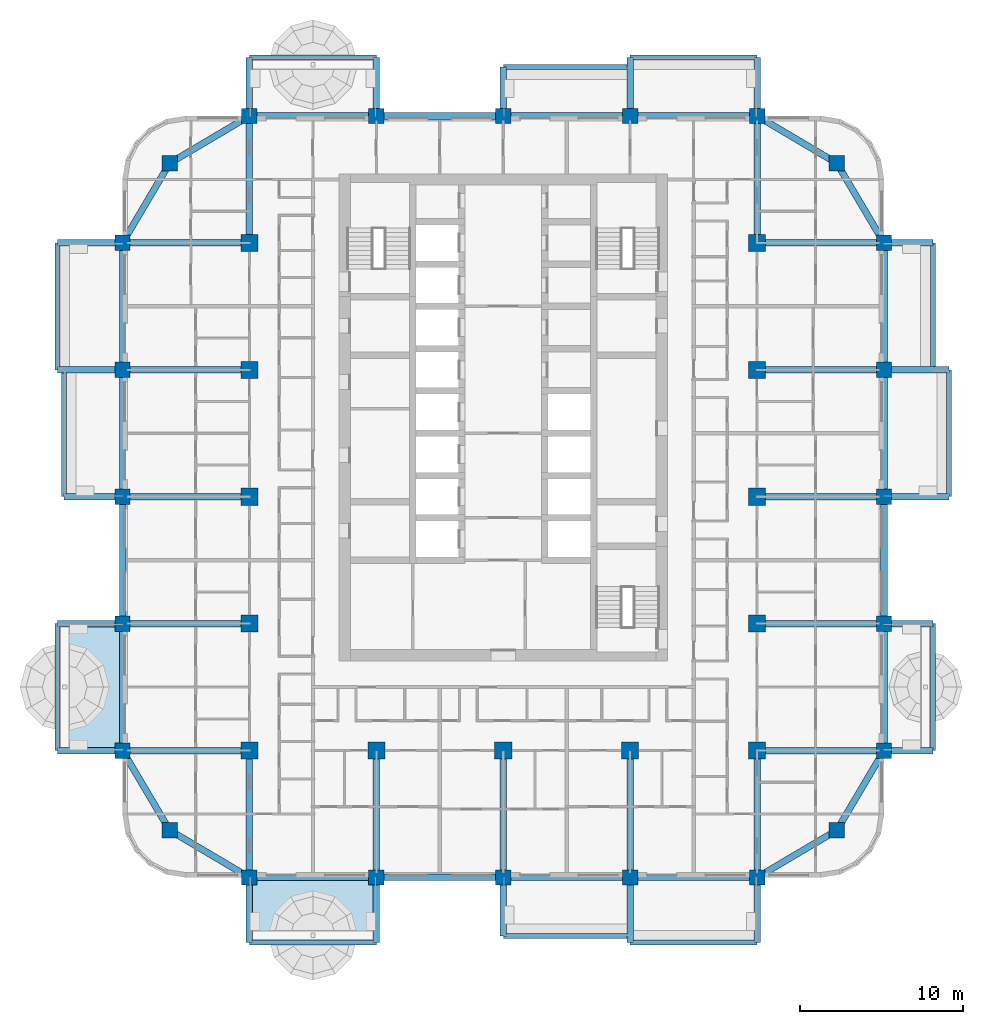
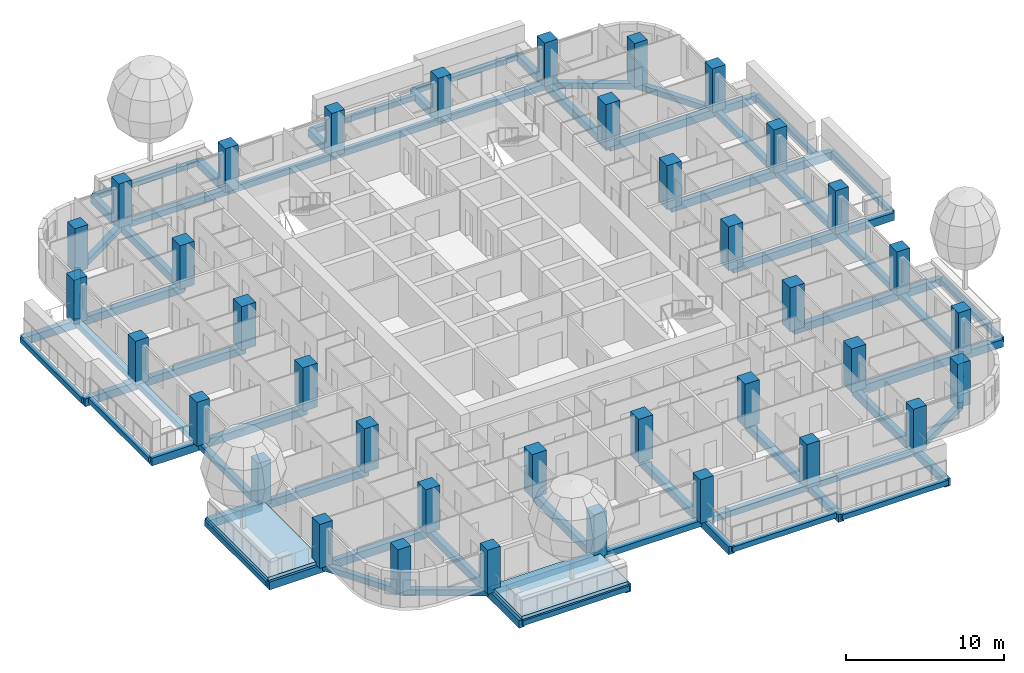
# One storey, part 1 of 19: 73 beams, 37 columns, 2 slabs.
"""IFC4 building model written with IfcOpenShell, lengths in metres."""

from ifc_helpers import new_model, si_unit, direction, frame, origin, origin_2d, place, context, subcontext, project, spatial, polyline, rectangle, outline, extrude, material, layer, layer_set, material_profile, profile_set, type_object, element, save


model = new_model("IFC4")

# Units and contexts
model_context = context("Model", 3, precision=1e-05, world=origin(), true_north=direction((0.0, 1.0)))
body_context = subcontext(model_context, "Body", "Model", "MODEL_VIEW")
ifc_project = project(units=[si_unit("LENGTHUNIT", "METRE"), si_unit("AREAUNIT", "SQUARE_METRE"), si_unit("VOLUMEUNIT", "CUBIC_METRE"), si_unit("PLANEANGLEUNIT", "RADIAN"), si_unit("MASSUNIT", "GRAM", prefix="KILO")], contexts=[model_context])

# Site, building, storey
site_placement = place(None, origin())
site = spatial("IfcSite", under=ifc_project, at=site_placement, CompositionType="ELEMENT")
building_placement = place(site_placement, origin())
building = spatial("IfcBuilding", under=site, at=building_placement, Name="Ludao Terraces", CompositionType="ELEMENT")
storey_placement = place(building_placement, frame((0.0, 0.0, 81.800048828125)))
storey = spatial("IfcBuildingStorey", under=building, at=storey_placement, Name="L22", CompositionType="ELEMENT", Elevation=81.800048828125)

# Columns
ifc_material_1 = material(Name="Concrete C55", Category="concrete")
ifc_material_profile_1 = material_profile(ifc_material_1, rectangle(XDim=1.050048828125, YDim=1.050048828125, at=origin_2d()), Name="1050 X 1050")
ifc_profile_set_1 = profile_set([ifc_material_profile_1], Name="Concrete C55")
column_type_1 = type_object("IfcColumnType", Name="RC column 1050x1050 C55", PredefinedType="COLUMN", material=ifc_profile_set_1)
for number, where, z_axis, x_axis, name in (
    (1, (69.39990234375, 49.39990234375, -0.25), (0.0, 0.0, 1.0), (1.0, 0.0, 0.0), "Column L22 S0078x0078"),
    (2, (69.39990234375, 57.199951171875, -0.25), (0.0, 0.0, 1.0), (1.0, 0.0, 0.0), "Column L22 S0078x0156"),
    (3, (69.39990234375, 65.0, -0.25), (0.0, 0.0, 1.0), (1.0, 0.0, 0.0), "Column L22 S0078x0234"),
    (4, (69.39990234375, 72.800048828125, -0.25), (0.0, 0.0, 1.0), (1.0, 0.0, 0.0), "Column L22 S0078x0312"),
    (5, (69.39990234375, 80.60009765625, -0.25), (0.0, 0.0, 1.0), (1.0, 0.0, 0.0), "Column L22 S0078x0390"),
    (6, (77.199951171875, 49.39990234375, -0.25), (0.0, 0.0, 1.0), (1.0, 0.0, 0.0), "Column L22 S0156x0078"),
    (7, (85.0, 49.39990234375, -0.25), (0.0, 0.0, 1.0), (1.0, 0.0, 0.0), "Column L22 S0234x0078"),
    (8, (92.800048828125, 49.39990234375, -0.25), (0.0, 0.0, 1.0), (1.0, 0.0, 0.0), "Column L22 S0312x0078"),
    (9, (100.60009765625, 49.39990234375, -0.25), (0.0, 0.0, 1.0), (1.0, 0.0, 0.0), "Column L22 S0390x0078"),
    (10, (100.60009765625, 57.199951171875, -0.25), (0.0, 0.0, 1.0), (1.0, 0.0, 0.0), "Column L22 S0390x0156"),
    (11, (100.60009765625, 65.0, -0.25), (0.0, 0.0, 1.0), (1.0, 0.0, 0.0), "Column L22 S0390x0234"),
    (12, (100.60009765625, 72.800048828125, -0.25), (0.0, 0.0, 1.0), (1.0, 0.0, 0.0), "Column L22 S0390x0312"),
    (13, (100.60009765625, 80.60009765625, -0.25), (0.0, 0.0, 1.0), (1.0, 0.0, 0.0), "Column L22 S0390x0390"),
):
    element("IfcColumn", number, at=place(storey_placement, frame(where, z_axis=z_axis, x_axis=x_axis)), inside=storey, type_object=column_type_1, Name=name, PredefinedType="COLUMN", context=body_context, shape_type="SweptSolid", body=[
        extrude(rectangle(XDim=1.050048828125, YDim=1.050048828125, at=origin_2d()), origin(), (0.0, 0.0, 1.0), 3.39990234375),
    ])
ifc_material_profile_2 = material_profile(ifc_material_1, rectangle(XDim=0.949951171875, YDim=0.949951171875, at=origin_2d()), Name="950 X 950")
ifc_profile_set_2 = profile_set([ifc_material_profile_2], Name="Concrete C55")
column_type_2 = type_object("IfcColumnType", Name="RC column 950x950 C55", PredefinedType="COLUMN", material=ifc_profile_set_2)
for number, where, z_axis, x_axis, name in (
    (14, (64.5, 44.5, -0.25), (0.0, 0.0, 1.0), (1.0, 0.0, 0.0), "Column L22 C0029x0029"),
    (15, (105.5, 44.5, -0.25), (0.0, 0.0, 1.0), (1.0, 0.0, 0.0), "Column L22 C0439x0029"),
    (16, (64.5, 85.5, -0.25), (0.0, 0.0, 1.0), (1.0, 0.0, 0.0), "Column L22 C0029x0439"),
    (17, (105.5, 85.5, -0.25), (0.0, 0.0, 1.0), (1.0, 0.0, 0.0), "Column L22 C0439x0439"),
    (18, (61.60009765625, 49.39990234375, -0.25), (0.0, 0.0, 1.0), (1.0, 0.0, 0.0), "Column L22 F0000x0078"),
    (19, (108.39990234375, 49.39990234375, -0.25), (0.0, 0.0, 1.0), (1.0, 0.0, 0.0), "Column L22 F0468x0078"),
    (20, (69.39990234375, 41.60009765625, -0.25), (0.0, 0.0, 1.0), (1.0, 0.0, 0.0), "Column L22 F0078x0000"),
    (21, (69.39990234375, 88.39990234375, -0.25), (0.0, 0.0, 1.0), (1.0, 0.0, 0.0), "Column L22 F0078x0468"),
    (22, (61.60009765625, 57.199951171875, -0.25), (0.0, 0.0, 1.0), (1.0, 0.0, 0.0), "Column L22 F0000x0156"),
    (23, (108.39990234375, 57.199951171875, -0.25), (0.0, 0.0, 1.0), (1.0, 0.0, 0.0), "Column L22 F0468x0156"),
    (24, (77.199951171875, 41.60009765625, -0.25), (0.0, 0.0, 1.0), (1.0, 0.0, 0.0), "Column L22 F0156x0000"),
    (25, (77.199951171875, 88.39990234375, -0.25), (0.0, 0.0, 1.0), (1.0, 0.0, 0.0), "Column L22 F0156x0468"),
    (26, (61.60009765625, 65.0, -0.25), (0.0, 0.0, 1.0), (1.0, 0.0, 0.0), "Column L22 F0000x0234"),
    (27, (108.39990234375, 65.0, -0.25), (0.0, 0.0, 1.0), (1.0, 0.0, 0.0), "Column L22 F0468x0234"),
    (28, (85.0, 41.60009765625, -0.25), (0.0, 0.0, 1.0), (1.0, 0.0, 0.0), "Column L22 F0234x0000"),
    (29, (85.0, 88.39990234375, -0.25), (0.0, 0.0, 1.0), (1.0, 0.0, 0.0), "Column L22 F0234x0468"),
    (30, (61.60009765625, 72.800048828125, -0.25), (0.0, 0.0, 1.0), (1.0, 0.0, 0.0), "Column L22 F0000x0312"),
    (31, (108.39990234375, 72.800048828125, -0.25), (0.0, 0.0, 1.0), (1.0, 0.0, 0.0), "Column L22 F0468x0312"),
    (32, (92.800048828125, 41.60009765625, -0.25), (0.0, 0.0, 1.0), (1.0, 0.0, 0.0), "Column L22 F0312x0000"),
    (33, (92.800048828125, 88.39990234375, -0.25), (0.0, 0.0, 1.0), (1.0, 0.0, 0.0), "Column L22 F0312x0468"),
    (34, (61.60009765625, 80.60009765625, -0.25), (0.0, 0.0, 1.0), (1.0, 0.0, 0.0), "Column L22 F0000x0390"),
    (35, (108.39990234375, 80.60009765625, -0.25), (0.0, 0.0, 1.0), (1.0, 0.0, 0.0), "Column L22 F0468x0390"),
    (36, (100.60009765625, 41.60009765625, -0.25), (0.0, 0.0, 1.0), (1.0, 0.0, 0.0), "Column L22 F0390x0000"),
    (37, (100.60009765625, 88.39990234375, -0.25), (0.0, 0.0, 1.0), (1.0, 0.0, 0.0), "Column L22 F0390x0468"),
):
    element("IfcColumn", number, at=place(storey_placement, frame(where, z_axis=z_axis, x_axis=x_axis)), inside=storey, type_object=column_type_2, Name=name, PredefinedType="COLUMN", context=body_context, shape_type="SweptSolid", body=[
        extrude(rectangle(XDim=0.949951171875, YDim=0.949951171875, at=origin_2d()), origin(), (0.0, 0.0, 1.0), 3.39990234375),
    ])

# Beams
ifc_material_2 = material(Name="Concrete C40", Category="concrete")
ifc_material_profile_3 = material_profile(ifc_material_2, rectangle(XDim=0.300048828125, YDim=0.39990234375, at=origin_2d()), Name="300 X 400")
ifc_profile_set_3 = profile_set([ifc_material_profile_3], Name="Concrete C40")
beam_type_1 = type_object("IfcBeamType", Name="RC beam 300x400 C40", PredefinedType="BEAM", material=ifc_profile_set_3)
for number, where, z_axis, x_axis, name in (
    (38, (69.39990234375, 37.60009765625, -0.449951171875), (1.0, 0.0, 0.0), (0.0, 1.0, 0.0), "Balcony edge beam L22 S1"),
    (39, (85.0, 38.0, -0.449951171875), (1.0, 0.0, 0.0), (0.0, 1.0, 0.0), "Balcony edge beam L22 S3"),
    (40, (92.800048828125, 37.60009765625, -0.449951171875), (1.0, 0.0, 0.0), (0.0, 1.0, 0.0), "Balcony edge beam L22 S4"),
    (41, (111.39990234375, 49.39990234375, -0.449951171875), (0.0, 1.0, 0.0), (-1.0, 0.0, 0.0), "Balcony edge beam L22 E1"),
    (42, (112.39990234375, 65.0, -0.449951171875), (0.0, 1.0, 0.0), (-1.0, 0.0, 0.0), "Balcony edge beam L22 E3"),
    (43, (111.39990234375, 72.800048828125, -0.449951171875), (0.0, 1.0, 0.0), (-1.0, 0.0, 0.0), "Balcony edge beam L22 E4"),
    (44, (69.39990234375, 92.0, -0.449951171875), (1.0, 0.0, 0.0), (0.0, 1.0, 0.0), "Balcony edge beam L22 N1"),
    (45, (85.0, 91.39990234375, -0.449951171875), (1.0, 0.0, 0.0), (0.0, 1.0, 0.0), "Balcony edge beam L22 N3"),
    (46, (92.800048828125, 92.0, -0.449951171875), (1.0, 0.0, 0.0), (0.0, 1.0, 0.0), "Balcony edge beam L22 N4"),
    (47, (57.60009765625, 49.39990234375, -0.449951171875), (0.0, 1.0, 0.0), (-1.0, 0.0, 0.0), "Balcony edge beam L22 W1"),
    (48, (58.0, 65.0, -0.449951171875), (0.0, 1.0, 0.0), (-1.0, 0.0, 0.0), "Balcony edge beam L22 W3"),
    (49, (57.60009765625, 72.800048828125, -0.449951171875), (0.0, 1.0, 0.0), (-1.0, 0.0, 0.0), "Balcony edge beam L22 W4"),
):
    element("IfcBeam", number, at=place(storey_placement, frame(where, z_axis=z_axis, x_axis=x_axis)), inside=storey, type_object=beam_type_1, Name=name, PredefinedType="BEAM", context=body_context, shape_type="SweptSolid", body=[
        extrude(rectangle(XDim=0.300048828125, YDim=0.39990234375, at=origin_2d()), origin(), (0.0, 0.0, 1.0), 7.800048828125),
    ])
ifc_material_profile_4 = material_profile(ifc_material_2, rectangle(XDim=0.39990234375, YDim=0.449951171875, at=origin_2d()), Name="400 X 450")
ifc_profile_set_4 = profile_set([ifc_material_profile_4], Name="Concrete C40")
beam_type_2 = type_object("IfcBeamType", Name="RC beam 400x450 C40", PredefinedType="BEAM", material=ifc_profile_set_4)
beam_1_placement = place(storey_placement, frame((64.5, 44.5, -0.47509765625), z_axis=(0.860579751256, -0.509315709288, 0.0), x_axis=(0.509315709288, 0.860579751256, 0.0)))
element("IfcBeam", 50, at=beam_1_placement, inside=storey, type_object=beam_type_2, Name="Spandrel beam L22 S1", PredefinedType="BEAM", context=body_context, shape_type="SweptSolid", body=[
    extrude(rectangle(XDim=0.39990234375, YDim=0.449951171875, at=origin_2d()), origin(), (0.0, 0.0, 1.0), 5.693603515625),
])
for number, where, z_axis, x_axis, name in (
    (51, (69.39990234375, 41.60009765625, -0.47509765625), (1.0, 0.0, 0.0), (0.0, 1.0, 0.0), "Spandrel beam L22 S2"),
    (52, (77.199951171875, 41.60009765625, -0.47509765625), (1.0, 0.0, 0.0), (0.0, 1.0, 0.0), "Spandrel beam L22 S3"),
    (53, (85.0, 41.60009765625, -0.47509765625), (1.0, 0.0, 0.0), (0.0, 1.0, 0.0), "Spandrel beam L22 S4"),
    (54, (92.800048828125, 41.60009765625, -0.47509765625), (1.0, 0.0, 0.0), (0.0, 1.0, 0.0), "Spandrel beam L22 S5"),
):
    element("IfcBeam", number, at=place(storey_placement, frame(where, z_axis=z_axis, x_axis=x_axis)), inside=storey, type_object=beam_type_2, Name=name, PredefinedType="BEAM", context=body_context, shape_type="SweptSolid", body=[
        extrude(rectangle(XDim=0.39990234375, YDim=0.449951171875, at=origin_2d()), origin(), (0.0, 0.0, 1.0), 7.800048828125),
    ])
for number, where, z_axis, x_axis, name in (
    (55, (100.60009765625, 41.60009765625, -0.47509765625), (0.860579751256, 0.509315709288, 0.0), (-0.509315709288, 0.860579751256, 0.0), "Spandrel beam L22 S6"),
    (56, (64.5, 85.5, -0.47509765625), (0.860579751256, 0.509315709288, 0.0), (-0.509315709288, 0.860579751256, 0.0), "Spandrel beam L22 N7"),
):
    element("IfcBeam", number, at=place(storey_placement, frame(where, z_axis=z_axis, x_axis=x_axis)), inside=storey, type_object=beam_type_2, Name=name, PredefinedType="BEAM", context=body_context, shape_type="SweptSolid", body=[
        extrude(rectangle(XDim=0.39990234375, YDim=0.449951171875, at=origin_2d()), origin(), (0.0, 0.0, 1.0), 5.693603515625),
    ])
for number, where, z_axis, x_axis, name in (
    (57, (69.39990234375, 88.39990234375, -0.47509765625), (1.0, 0.0, 0.0), (0.0, 1.0, 0.0), "Spandrel beam L22 N8"),
    (58, (77.199951171875, 88.39990234375, -0.47509765625), (1.0, 0.0, 0.0), (0.0, 1.0, 0.0), "Spandrel beam L22 N9"),
    (59, (85.0, 88.39990234375, -0.47509765625), (1.0, 0.0, 0.0), (0.0, 1.0, 0.0), "Spandrel beam L22 N10"),
    (60, (92.800048828125, 88.39990234375, -0.47509765625), (1.0, 0.0, 0.0), (0.0, 1.0, 0.0), "Spandrel beam L22 N11"),
):
    element("IfcBeam", number, at=place(storey_placement, frame(where, z_axis=z_axis, x_axis=x_axis)), inside=storey, type_object=beam_type_2, Name=name, PredefinedType="BEAM", context=body_context, shape_type="SweptSolid", body=[
        extrude(rectangle(XDim=0.39990234375, YDim=0.449951171875, at=origin_2d()), origin(), (0.0, 0.0, 1.0), 7.800048828125),
    ])
for number, where, z_axis, x_axis, name in (
    (61, (100.60009765625, 88.39990234375, -0.47509765625), (0.860579751256, -0.509315709288, 0.0), (0.509315709288, 0.860579751256, 0.0), "Spandrel beam L22 N12"),
    (62, (64.5, 44.5, -0.47509765625), (-0.509315709288, 0.860579751256, 0.0), (-0.860579751256, -0.509315709288, 0.0), "Spandrel beam L22 W13"),
):
    element("IfcBeam", number, at=place(storey_placement, frame(where, z_axis=z_axis, x_axis=x_axis)), inside=storey, type_object=beam_type_2, Name=name, PredefinedType="BEAM", context=body_context, shape_type="SweptSolid", body=[
        extrude(rectangle(XDim=0.39990234375, YDim=0.449951171875, at=origin_2d()), origin(), (0.0, 0.0, 1.0), 5.693603515625),
    ])
for number, where, z_axis, x_axis, name in (
    (63, (61.60009765625, 49.39990234375, -0.47509765625), (0.0, 1.0, 0.0), (-1.0, 0.0, 0.0), "Spandrel beam L22 W14"),
    (64, (61.60009765625, 57.199951171875, -0.47509765625), (0.0, 1.0, 0.0), (-1.0, 0.0, 0.0), "Spandrel beam L22 W15"),
    (65, (61.60009765625, 65.0, -0.47509765625), (0.0, 1.0, 0.0), (-1.0, 0.0, 0.0), "Spandrel beam L22 W16"),
    (66, (61.60009765625, 72.800048828125, -0.47509765625), (0.0, 1.0, 0.0), (-1.0, 0.0, 0.0), "Spandrel beam L22 W17"),
):
    element("IfcBeam", number, at=place(storey_placement, frame(where, z_axis=z_axis, x_axis=x_axis)), inside=storey, type_object=beam_type_2, Name=name, PredefinedType="BEAM", context=body_context, shape_type="SweptSolid", body=[
        extrude(rectangle(XDim=0.39990234375, YDim=0.449951171875, at=origin_2d()), origin(), (0.0, 0.0, 1.0), 7.800048828125),
    ])
for number, where, z_axis, x_axis, name in (
    (67, (61.60009765625, 80.60009765625, -0.47509765625), (0.509315709288, 0.860579751256, 0.0), (-0.860579751256, 0.509315709288, 0.0), "Spandrel beam L22 W18"),
    (68, (105.5, 44.5, -0.47509765625), (0.509315709288, 0.860579751256, 0.0), (-0.860579751256, 0.509315709288, 0.0), "Spandrel beam L22 E19"),
):
    element("IfcBeam", number, at=place(storey_placement, frame(where, z_axis=z_axis, x_axis=x_axis)), inside=storey, type_object=beam_type_2, Name=name, PredefinedType="BEAM", context=body_context, shape_type="SweptSolid", body=[
        extrude(rectangle(XDim=0.39990234375, YDim=0.449951171875, at=origin_2d()), origin(), (0.0, 0.0, 1.0), 5.693603515625),
    ])
for number, where, z_axis, x_axis, name in (
    (69, (108.39990234375, 49.39990234375, -0.47509765625), (0.0, 1.0, 0.0), (-1.0, 0.0, 0.0), "Spandrel beam L22 E20"),
    (70, (108.39990234375, 57.199951171875, -0.47509765625), (0.0, 1.0, 0.0), (-1.0, 0.0, 0.0), "Spandrel beam L22 E21"),
    (71, (108.39990234375, 65.0, -0.47509765625), (0.0, 1.0, 0.0), (-1.0, 0.0, 0.0), "Spandrel beam L22 E22"),
    (72, (108.39990234375, 72.800048828125, -0.47509765625), (0.0, 1.0, 0.0), (-1.0, 0.0, 0.0), "Spandrel beam L22 E23"),
):
    element("IfcBeam", number, at=place(storey_placement, frame(where, z_axis=z_axis, x_axis=x_axis)), inside=storey, type_object=beam_type_2, Name=name, PredefinedType="BEAM", context=body_context, shape_type="SweptSolid", body=[
        extrude(rectangle(XDim=0.39990234375, YDim=0.449951171875, at=origin_2d()), origin(), (0.0, 0.0, 1.0), 7.800048828125),
    ])
beam_2_placement = place(storey_placement, frame((108.39990234375, 80.60009765625, -0.47509765625), z_axis=(-0.509315709288, 0.860579751256, 0.0), x_axis=(-0.860579751256, -0.509315709288, 0.0)))
element("IfcBeam", 73, at=beam_2_placement, inside=storey, type_object=beam_type_2, Name="Spandrel beam L22 E24", PredefinedType="BEAM", context=body_context, shape_type="SweptSolid", body=[
    extrude(rectangle(XDim=0.39990234375, YDim=0.449951171875, at=origin_2d()), origin(), (0.0, 0.0, 1.0), 5.693603515625),
])
ifc_material_profile_5 = material_profile(ifc_material_2, rectangle(XDim=0.39990234375, YDim=0.60009765625, at=origin_2d()), Name="400 X 600")
ifc_profile_set_5 = profile_set([ifc_material_profile_5], Name="Concrete C40")
beam_type_3 = type_object("IfcBeamType", Name="RC beam 400x600 C40", PredefinedType="BEAM", material=ifc_profile_set_5)
beam_3_placement = place(storey_placement, frame((100.60009765625, 49.39990234375, -0.550048828125), z_axis=(1.0, 0.0, 0.0), x_axis=(0.0, 1.0, 0.0)))
element("IfcBeam", 74, at=beam_3_placement, inside=storey, type_object=beam_type_3, Name="Balcony beam L22 E494", PredefinedType="BEAM", context=body_context, shape_type="SweptSolid", body=[
    extrude(rectangle(XDim=0.39990234375, YDim=0.60009765625, at=origin_2d()), origin(), (0.0, 0.0, 1.0), 7.7998046875),
])
beam_4_placement = place(storey_placement, frame((108.39990234375, 49.39990234375, -0.550048828125), z_axis=(1.0, 0.0, 0.0), x_axis=(0.0, 1.0, 0.0)))
element("IfcBeam", 75, at=beam_4_placement, inside=storey, type_object=beam_type_3, Name="Balcony beam L22 E494", PredefinedType="BEAM", context=body_context, shape_type="SweptSolid", body=[
    extrude(rectangle(XDim=0.39990234375, YDim=0.60009765625, at=origin_2d()), origin(), (0.0, 0.0, 1.0), 3.0),
])
beam_5_placement = place(storey_placement, frame((100.60009765625, 57.199951171875, -0.550048828125), z_axis=(1.0, 0.0, 0.0), x_axis=(0.0, 1.0, 0.0)))
element("IfcBeam", 76, at=beam_5_placement, inside=storey, type_object=beam_type_3, Name="Balcony beam L22 E572", PredefinedType="BEAM", context=body_context, shape_type="SweptSolid", body=[
    extrude(rectangle(XDim=0.39990234375, YDim=0.60009765625, at=origin_2d()), origin(), (0.0, 0.0, 1.0), 7.7998046875),
])
beam_6_placement = place(storey_placement, frame((108.39990234375, 57.199951171875, -0.550048828125), z_axis=(1.0, 0.0, 0.0), x_axis=(0.0, 1.0, 0.0)))
element("IfcBeam", 77, at=beam_6_placement, inside=storey, type_object=beam_type_3, Name="Balcony beam L22 E572", PredefinedType="BEAM", context=body_context, shape_type="SweptSolid", body=[
    extrude(rectangle(XDim=0.39990234375, YDim=0.60009765625, at=origin_2d()), origin(), (0.0, 0.0, 1.0), 3.0),
])
beam_7_placement = place(storey_placement, frame((100.60009765625, 65.0, -0.550048828125), z_axis=(1.0, 0.0, 0.0), x_axis=(0.0, 1.0, 0.0)))
element("IfcBeam", 78, at=beam_7_placement, inside=storey, type_object=beam_type_3, Name="Balcony beam L22 E650", PredefinedType="BEAM", context=body_context, shape_type="SweptSolid", body=[
    extrude(rectangle(XDim=0.39990234375, YDim=0.60009765625, at=origin_2d()), origin(), (0.0, 0.0, 1.0), 7.7998046875),
])
beam_8_placement = place(storey_placement, frame((108.39990234375, 65.0, -0.550048828125), z_axis=(1.0, 0.0, 0.0), x_axis=(0.0, 1.0, 0.0)))
element("IfcBeam", 79, at=beam_8_placement, inside=storey, type_object=beam_type_3, Name="Balcony beam L22 E650", PredefinedType="BEAM", context=body_context, shape_type="SweptSolid", body=[
    extrude(rectangle(XDim=0.39990234375, YDim=0.60009765625, at=origin_2d()), origin(), (0.0, 0.0, 1.0), 4.0),
])
beam_9_placement = place(storey_placement, frame((100.60009765625, 72.800048828125, -0.550048828125), z_axis=(1.0, 0.0, 0.0), x_axis=(0.0, 1.0, 0.0)))
element("IfcBeam", 80, at=beam_9_placement, inside=storey, type_object=beam_type_3, Name="Balcony beam L22 E728", PredefinedType="BEAM", context=body_context, shape_type="SweptSolid", body=[
    extrude(rectangle(XDim=0.39990234375, YDim=0.60009765625, at=origin_2d()), origin(), (0.0, 0.0, 1.0), 7.7998046875),
])
beam_10_placement = place(storey_placement, frame((108.39990234375, 72.800048828125, -0.550048828125), z_axis=(1.0, 0.0, 0.0), x_axis=(0.0, 1.0, 0.0)))
element("IfcBeam", 81, at=beam_10_placement, inside=storey, type_object=beam_type_3, Name="Balcony beam L22 E728", PredefinedType="BEAM", context=body_context, shape_type="SweptSolid", body=[
    extrude(rectangle(XDim=0.39990234375, YDim=0.60009765625, at=origin_2d()), origin(), (0.0, 0.0, 1.0), 4.0),
])
beam_11_placement = place(storey_placement, frame((100.60009765625, 80.60009765625, -0.550048828125), z_axis=(1.0, 0.0, 0.0), x_axis=(0.0, 1.0, 0.0)))
element("IfcBeam", 82, at=beam_11_placement, inside=storey, type_object=beam_type_3, Name="Balcony beam L22 E806", PredefinedType="BEAM", context=body_context, shape_type="SweptSolid", body=[
    extrude(rectangle(XDim=0.39990234375, YDim=0.60009765625, at=origin_2d()), origin(), (0.0, 0.0, 1.0), 7.7998046875),
])
beam_12_placement = place(storey_placement, frame((108.39990234375, 80.60009765625, -0.550048828125), z_axis=(1.0, 0.0, 0.0), x_axis=(0.0, 1.0, 0.0)))
element("IfcBeam", 83, at=beam_12_placement, inside=storey, type_object=beam_type_3, Name="Balcony beam L22 E806", PredefinedType="BEAM", context=body_context, shape_type="SweptSolid", body=[
    extrude(rectangle(XDim=0.39990234375, YDim=0.60009765625, at=origin_2d()), origin(), (0.0, 0.0, 1.0), 3.0),
])
beam_13_placement = place(storey_placement, frame((100.60009765625, 80.60009765625, -0.550048828125), z_axis=(0.0, 1.0, 0.0), x_axis=(-1.0, 0.0, 0.0)))
element("IfcBeam", 84, at=beam_13_placement, inside=storey, type_object=beam_type_3, Name="Balcony beam L22 N1006", PredefinedType="BEAM", context=body_context, shape_type="SweptSolid", body=[
    extrude(rectangle(XDim=0.39990234375, YDim=0.60009765625, at=origin_2d()), origin(), (0.0, 0.0, 1.0), 7.7998046875),
])
beam_14_placement = place(storey_placement, frame((100.60009765625, 88.39990234375, -0.550048828125), z_axis=(0.0, 1.0, 0.0), x_axis=(-1.0, 0.0, 0.0)))
element("IfcBeam", 85, at=beam_14_placement, inside=storey, type_object=beam_type_3, Name="Balcony beam L22 N1006", PredefinedType="BEAM", context=body_context, shape_type="SweptSolid", body=[
    extrude(rectangle(XDim=0.39990234375, YDim=0.60009765625, at=origin_2d()), origin(), (0.0, 0.0, 1.0), 3.60009765625),
])
beam_15_placement = place(storey_placement, frame((69.39990234375, 80.60009765625, -0.550048828125), z_axis=(0.0, 1.0, 0.0), x_axis=(-1.0, 0.0, 0.0)))
element("IfcBeam", 86, at=beam_15_placement, inside=storey, type_object=beam_type_3, Name="Balcony beam L22 N694", PredefinedType="BEAM", context=body_context, shape_type="SweptSolid", body=[
    extrude(rectangle(XDim=0.39990234375, YDim=0.60009765625, at=origin_2d()), origin(), (0.0, 0.0, 1.0), 7.7998046875),
])
for number, where, z_axis, x_axis, name in (
    (87, (69.39990234375, 88.39990234375, -0.550048828125), (0.0, 1.0, 0.0), (-1.0, 0.0, 0.0), "Balcony beam L22 N694"),
    (88, (77.199951171875, 88.39990234375, -0.550048828125), (0.0, 1.0, 0.0), (-1.0, 0.0, 0.0), "Balcony beam L22 N772"),
):
    element("IfcBeam", number, at=place(storey_placement, frame(where, z_axis=z_axis, x_axis=x_axis)), inside=storey, type_object=beam_type_3, Name=name, PredefinedType="BEAM", context=body_context, shape_type="SweptSolid", body=[
        extrude(rectangle(XDim=0.39990234375, YDim=0.60009765625, at=origin_2d()), origin(), (0.0, 0.0, 1.0), 3.60009765625),
    ])
beam_16_placement = place(storey_placement, frame((85.0, 88.39990234375, -0.550048828125), z_axis=(0.0, 1.0, 0.0), x_axis=(-1.0, 0.0, 0.0)))
element("IfcBeam", 89, at=beam_16_placement, inside=storey, type_object=beam_type_3, Name="Balcony beam L22 N850", PredefinedType="BEAM", context=body_context, shape_type="SweptSolid", body=[
    extrude(rectangle(XDim=0.39990234375, YDim=0.60009765625, at=origin_2d()), origin(), (0.0, 0.0, 1.0), 3.0),
])
beam_17_placement = place(storey_placement, frame((92.800048828125, 88.39990234375, -0.550048828125), z_axis=(0.0, 1.0, 0.0), x_axis=(-1.0, 0.0, 0.0)))
element("IfcBeam", 90, at=beam_17_placement, inside=storey, type_object=beam_type_3, Name="Balcony beam L22 N928", PredefinedType="BEAM", context=body_context, shape_type="SweptSolid", body=[
    extrude(rectangle(XDim=0.39990234375, YDim=0.60009765625, at=origin_2d()), origin(), (0.0, 0.0, 1.0), 3.60009765625),
])
beam_18_placement = place(storey_placement, frame((100.60009765625, 49.39990234375, -0.550048828125), z_axis=(0.0, -1.0, 0.0), x_axis=(1.0, 0.0, 0.0)))
element("IfcBeam", 91, at=beam_18_placement, inside=storey, type_object=beam_type_3, Name="Balcony beam L22 S1006", PredefinedType="BEAM", context=body_context, shape_type="SweptSolid", body=[
    extrude(rectangle(XDim=0.39990234375, YDim=0.60009765625, at=origin_2d()), origin(), (0.0, 0.0, 1.0), 7.7998046875),
])
beam_19_placement = place(storey_placement, frame((100.60009765625, 41.60009765625, -0.550048828125), z_axis=(0.0, -1.0, 0.0), x_axis=(1.0, 0.0, 0.0)))
element("IfcBeam", 92, at=beam_19_placement, inside=storey, type_object=beam_type_3, Name="Balcony beam L22 S1006", PredefinedType="BEAM", context=body_context, shape_type="SweptSolid", body=[
    extrude(rectangle(XDim=0.39990234375, YDim=0.60009765625, at=origin_2d()), origin(), (0.0, 0.0, 1.0), 4.0),
])
beam_20_placement = place(storey_placement, frame((69.39990234375, 49.39990234375, -0.550048828125), z_axis=(0.0, -1.0, 0.0), x_axis=(1.0, 0.0, 0.0)))
element("IfcBeam", 93, at=beam_20_placement, inside=storey, type_object=beam_type_3, Name="Balcony beam L22 S694", PredefinedType="BEAM", context=body_context, shape_type="SweptSolid", body=[
    extrude(rectangle(XDim=0.39990234375, YDim=0.60009765625, at=origin_2d()), origin(), (0.0, 0.0, 1.0), 7.7998046875),
])
beam_21_placement = place(storey_placement, frame((69.39990234375, 41.60009765625, -0.550048828125), z_axis=(0.0, -1.0, 0.0), x_axis=(1.0, 0.0, 0.0)))
element("IfcBeam", 94, at=beam_21_placement, inside=storey, type_object=beam_type_3, Name="Balcony beam L22 S694", PredefinedType="BEAM", context=body_context, shape_type="SweptSolid", body=[
    extrude(rectangle(XDim=0.39990234375, YDim=0.60009765625, at=origin_2d()), origin(), (0.0, 0.0, 1.0), 4.0),
])
beam_22_placement = place(storey_placement, frame((77.199951171875, 49.39990234375, -0.550048828125), z_axis=(0.0, -1.0, 0.0), x_axis=(1.0, 0.0, 0.0)))
element("IfcBeam", 95, at=beam_22_placement, inside=storey, type_object=beam_type_3, Name="Balcony beam L22 S772", PredefinedType="BEAM", context=body_context, shape_type="SweptSolid", body=[
    extrude(rectangle(XDim=0.39990234375, YDim=0.60009765625, at=origin_2d()), origin(), (0.0, 0.0, 1.0), 7.7998046875),
])
beam_23_placement = place(storey_placement, frame((77.199951171875, 41.60009765625, -0.550048828125), z_axis=(0.0, -1.0, 0.0), x_axis=(1.0, 0.0, 0.0)))
element("IfcBeam", 96, at=beam_23_placement, inside=storey, type_object=beam_type_3, Name="Balcony beam L22 S772", PredefinedType="BEAM", context=body_context, shape_type="SweptSolid", body=[
    extrude(rectangle(XDim=0.39990234375, YDim=0.60009765625, at=origin_2d()), origin(), (0.0, 0.0, 1.0), 4.0),
])
beam_24_placement = place(storey_placement, frame((85.0, 49.39990234375, -0.550048828125), z_axis=(0.0, -1.0, 0.0), x_axis=(1.0, 0.0, 0.0)))
element("IfcBeam", 97, at=beam_24_placement, inside=storey, type_object=beam_type_3, Name="Balcony beam L22 S850", PredefinedType="BEAM", context=body_context, shape_type="SweptSolid", body=[
    extrude(rectangle(XDim=0.39990234375, YDim=0.60009765625, at=origin_2d()), origin(), (0.0, 0.0, 1.0), 7.7998046875),
])
beam_25_placement = place(storey_placement, frame((85.0, 41.60009765625, -0.550048828125), z_axis=(0.0, -1.0, 0.0), x_axis=(1.0, 0.0, 0.0)))
element("IfcBeam", 98, at=beam_25_placement, inside=storey, type_object=beam_type_3, Name="Balcony beam L22 S850", PredefinedType="BEAM", context=body_context, shape_type="SweptSolid", body=[
    extrude(rectangle(XDim=0.39990234375, YDim=0.60009765625, at=origin_2d()), origin(), (0.0, 0.0, 1.0), 3.60009765625),
])
beam_26_placement = place(storey_placement, frame((92.800048828125, 49.39990234375, -0.550048828125), z_axis=(0.0, -1.0, 0.0), x_axis=(1.0, 0.0, 0.0)))
element("IfcBeam", 99, at=beam_26_placement, inside=storey, type_object=beam_type_3, Name="Balcony beam L22 S928", PredefinedType="BEAM", context=body_context, shape_type="SweptSolid", body=[
    extrude(rectangle(XDim=0.39990234375, YDim=0.60009765625, at=origin_2d()), origin(), (0.0, 0.0, 1.0), 7.7998046875),
])
beam_27_placement = place(storey_placement, frame((92.800048828125, 41.60009765625, -0.550048828125), z_axis=(0.0, -1.0, 0.0), x_axis=(1.0, 0.0, 0.0)))
element("IfcBeam", 100, at=beam_27_placement, inside=storey, type_object=beam_type_3, Name="Balcony beam L22 S928", PredefinedType="BEAM", context=body_context, shape_type="SweptSolid", body=[
    extrude(rectangle(XDim=0.39990234375, YDim=0.60009765625, at=origin_2d()), origin(), (0.0, 0.0, 1.0), 4.0),
])
beam_28_placement = place(storey_placement, frame((69.39990234375, 49.39990234375, -0.550048828125), z_axis=(-1.0, 0.0, 0.0), x_axis=(0.0, -1.0, 0.0)))
element("IfcBeam", 101, at=beam_28_placement, inside=storey, type_object=beam_type_3, Name="Balcony beam L22 W494", PredefinedType="BEAM", context=body_context, shape_type="SweptSolid", body=[
    extrude(rectangle(XDim=0.39990234375, YDim=0.60009765625, at=origin_2d()), origin(), (0.0, 0.0, 1.0), 7.7998046875),
])
beam_29_placement = place(storey_placement, frame((61.60009765625, 49.39990234375, -0.550048828125), z_axis=(-1.0, 0.0, 0.0), x_axis=(0.0, -1.0, 0.0)))
element("IfcBeam", 102, at=beam_29_placement, inside=storey, type_object=beam_type_3, Name="Balcony beam L22 W494", PredefinedType="BEAM", context=body_context, shape_type="SweptSolid", body=[
    extrude(rectangle(XDim=0.39990234375, YDim=0.60009765625, at=origin_2d()), origin(), (0.0, 0.0, 1.0), 4.0),
])
beam_30_placement = place(storey_placement, frame((69.39990234375, 57.199951171875, -0.550048828125), z_axis=(-1.0, 0.0, 0.0), x_axis=(0.0, -1.0, 0.0)))
element("IfcBeam", 103, at=beam_30_placement, inside=storey, type_object=beam_type_3, Name="Balcony beam L22 W572", PredefinedType="BEAM", context=body_context, shape_type="SweptSolid", body=[
    extrude(rectangle(XDim=0.39990234375, YDim=0.60009765625, at=origin_2d()), origin(), (0.0, 0.0, 1.0), 7.7998046875),
])
beam_31_placement = place(storey_placement, frame((61.60009765625, 57.199951171875, -0.550048828125), z_axis=(-1.0, 0.0, 0.0), x_axis=(0.0, -1.0, 0.0)))
element("IfcBeam", 104, at=beam_31_placement, inside=storey, type_object=beam_type_3, Name="Balcony beam L22 W572", PredefinedType="BEAM", context=body_context, shape_type="SweptSolid", body=[
    extrude(rectangle(XDim=0.39990234375, YDim=0.60009765625, at=origin_2d()), origin(), (0.0, 0.0, 1.0), 4.0),
])
beam_32_placement = place(storey_placement, frame((69.39990234375, 65.0, -0.550048828125), z_axis=(-1.0, 0.0, 0.0), x_axis=(0.0, -1.0, 0.0)))
element("IfcBeam", 105, at=beam_32_placement, inside=storey, type_object=beam_type_3, Name="Balcony beam L22 W650", PredefinedType="BEAM", context=body_context, shape_type="SweptSolid", body=[
    extrude(rectangle(XDim=0.39990234375, YDim=0.60009765625, at=origin_2d()), origin(), (0.0, 0.0, 1.0), 7.7998046875),
])
beam_33_placement = place(storey_placement, frame((61.60009765625, 65.0, -0.550048828125), z_axis=(-1.0, 0.0, 0.0), x_axis=(0.0, -1.0, 0.0)))
element("IfcBeam", 106, at=beam_33_placement, inside=storey, type_object=beam_type_3, Name="Balcony beam L22 W650", PredefinedType="BEAM", context=body_context, shape_type="SweptSolid", body=[
    extrude(rectangle(XDim=0.39990234375, YDim=0.60009765625, at=origin_2d()), origin(), (0.0, 0.0, 1.0), 3.60009765625),
])
beam_34_placement = place(storey_placement, frame((69.39990234375, 72.800048828125, -0.550048828125), z_axis=(-1.0, 0.0, 0.0), x_axis=(0.0, -1.0, 0.0)))
element("IfcBeam", 107, at=beam_34_placement, inside=storey, type_object=beam_type_3, Name="Balcony beam L22 W728", PredefinedType="BEAM", context=body_context, shape_type="SweptSolid", body=[
    extrude(rectangle(XDim=0.39990234375, YDim=0.60009765625, at=origin_2d()), origin(), (0.0, 0.0, 1.0), 7.7998046875),
])
beam_35_placement = place(storey_placement, frame((61.60009765625, 72.800048828125, -0.550048828125), z_axis=(-1.0, 0.0, 0.0), x_axis=(0.0, -1.0, 0.0)))
element("IfcBeam", 108, at=beam_35_placement, inside=storey, type_object=beam_type_3, Name="Balcony beam L22 W728", PredefinedType="BEAM", context=body_context, shape_type="SweptSolid", body=[
    extrude(rectangle(XDim=0.39990234375, YDim=0.60009765625, at=origin_2d()), origin(), (0.0, 0.0, 1.0), 4.0),
])
beam_36_placement = place(storey_placement, frame((69.39990234375, 80.60009765625, -0.550048828125), z_axis=(-1.0, 0.0, 0.0), x_axis=(0.0, -1.0, 0.0)))
element("IfcBeam", 109, at=beam_36_placement, inside=storey, type_object=beam_type_3, Name="Balcony beam L22 W806", PredefinedType="BEAM", context=body_context, shape_type="SweptSolid", body=[
    extrude(rectangle(XDim=0.39990234375, YDim=0.60009765625, at=origin_2d()), origin(), (0.0, 0.0, 1.0), 7.7998046875),
])
beam_37_placement = place(storey_placement, frame((61.60009765625, 80.60009765625, -0.550048828125), z_axis=(-1.0, 0.0, 0.0), x_axis=(0.0, -1.0, 0.0)))
element("IfcBeam", 110, at=beam_37_placement, inside=storey, type_object=beam_type_3, Name="Balcony beam L22 W806", PredefinedType="BEAM", context=body_context, shape_type="SweptSolid", body=[
    extrude(rectangle(XDim=0.39990234375, YDim=0.60009765625, at=origin_2d()), origin(), (0.0, 0.0, 1.0), 4.0),
])

# Slabs
ifc_layer = layer(ifc_material_2, 0.25)
ifc_layer_set = layer_set([ifc_layer], Name="Balcony slab 250 C40")
slab_type = type_object("IfcSlabType", Name="Balcony slab 250 C40", PredefinedType="USERDEFINED", material=ifc_layer_set)
slab_1_placement = place(storey_placement, frame((0.0, 0.0, -0.25)))
element("IfcSlab", 111, at=slab_1_placement, inside=storey, type_object=slab_type, Name="Balcony L22 S1", ObjectType="BALCONY", PredefinedType="USERDEFINED", context=body_context, shape_type="SweptSolid", body=[
    extrude(outline(polyline([(69.39990234375, 37.60009765625), (77.199951171875, 37.60009765625), (77.199951171875, 41.60009765625), (69.39990234375, 41.60009765625), (69.39990234375, 37.60009765625)])), origin(), (0.0, 0.0, 1.0), 0.25),
])
slab_2_placement = place(storey_placement, frame((0.0, 0.0, -0.25)))
element("IfcSlab", 112, at=slab_2_placement, inside=storey, type_object=slab_type, Name="Balcony L22 W1", ObjectType="BALCONY", PredefinedType="USERDEFINED", context=body_context, shape_type="SweptSolid", body=[
    extrude(outline(polyline([(57.60009765625, 49.39990234375), (61.60009765625, 49.39990234375), (61.60009765625, 57.199951171875), (57.60009765625, 57.199951171875), (57.60009765625, 49.39990234375)])), origin(), (0.0, 0.0, 1.0), 0.25),
])

save(model, "model.ifc")
